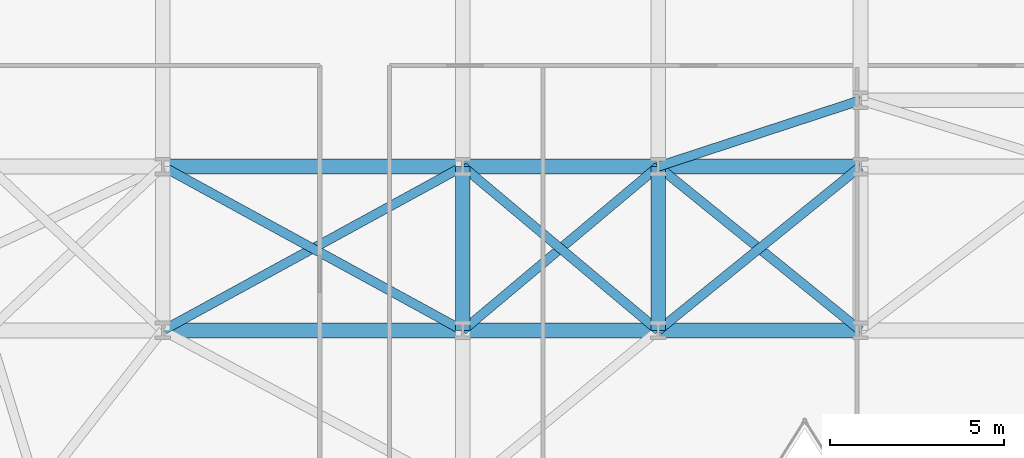
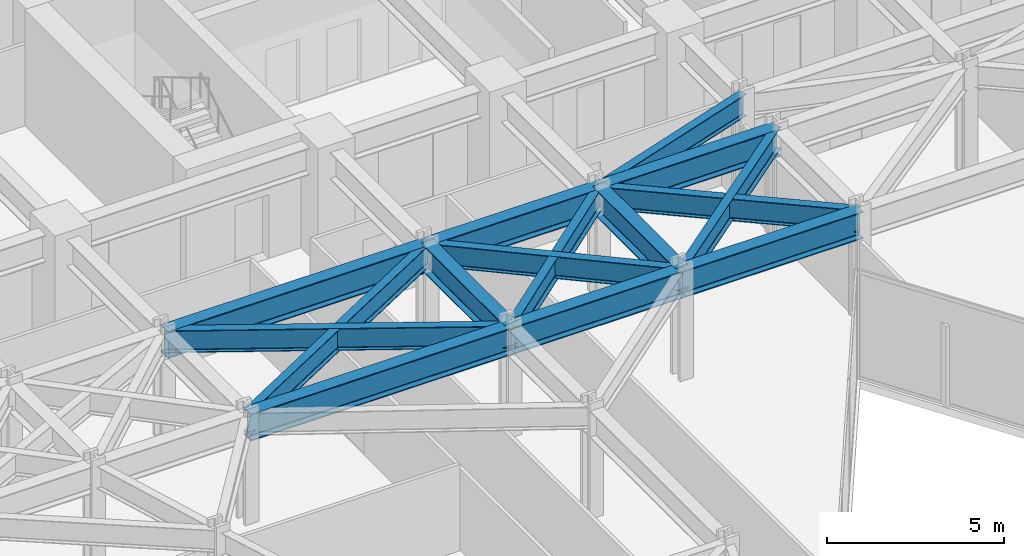
# One storey, part 11 of 24: 15 beams.
"""IFC4 building model written with IfcOpenShell, lengths in metres."""

import ifcopenshell
import ifcopenshell.guid

model = None  # the IFC model being written
_history = None  # IfcOwnerHistory: only IFC2X3 demands one
_inside = {}  # id of a spatial element -> (the spatial element, [elements in it])
_under = {}  # id of a project, library or spatial element -> (it, [spatial elements below it])
_declared = {}  # id of a project -> (the project, [libraries it declares])
_typed = {}  # id of a type object -> (the type object, [elements of that type])
_made_of = {}  # id of a material, layer set ... -> (it, [elements and type objects made of it])


def new_model(schema):
    """Start an empty IFC model of exactly this schema.

    Asked for "IFC4X3", IfcOpenShell would pick the latest addendum, in which some entities
    have other attributes; the version numbers below select the first issue.
    IFC2X3 requires an IfcOwnerHistory on every rooted entity: one is made here for all.
    """
    global model, _history
    if schema == "IFC4X3":
        model = ifcopenshell.file(schema_version=(4, 3, 0, 0))
    else:
        model = ifcopenshell.file(schema=schema)
    _inside.clear()
    _under.clear()
    _declared.clear()
    _typed.clear()
    _made_of.clear()
    _history = None
    if model.schema == "IFC2X3":
        org = make("IfcOrganization", Name="unknown")
        user = make(
            "IfcPersonAndOrganization",
            ThePerson=make("IfcPerson", FamilyName="unknown"),
            TheOrganization=org,
        )
        app = make(
            "IfcApplication",
            ApplicationDeveloper=org,
            Version="unknown",
            ApplicationFullName="unknown",
            ApplicationIdentifier="unknown",
        )
        _history = make(
            "IfcOwnerHistory",
            OwningUser=user,
            OwningApplication=app,
            ChangeAction="ADDED",
            CreationDate=0,
        )
    return model


def make(cls, **values):
    """One entity of the class cls with the attributes given. An attribute that is None is left unset."""
    return model.create_entity(
        cls, **{name: value for name, value in values.items() if value is not None}
    )


def rooted(cls, **values):
    """An entity with a GlobalId (a new one), such as an element, a storey or a relation."""
    return make(cls, GlobalId=ifcopenshell.guid.new(), OwnerHistory=_history, **values)


def si_unit(unit_type, name, prefix=None):
    """IfcSIUnit, for example si_unit("LENGTHUNIT", "METRE", prefix="MILLI")."""
    return make("IfcSIUnit", UnitType=unit_type, Prefix=prefix, Name=name)


def assignment(units):
    """IfcUnitAssignment: the units of a project."""
    return None if units is None else make("IfcUnitAssignment", Units=units)


def point(xyz):
    """IfcCartesianPoint."""
    return None if xyz is None else make("IfcCartesianPoint", Coordinates=xyz)


def direction(xyz):
    """IfcDirection."""
    return None if xyz is None else make("IfcDirection", DirectionRatios=xyz)


def frame(location, z_axis=None, x_axis=None):
    """IfcAxis2Placement3D, a coordinate frame: its origin and axes. An axis left out is left unset."""
    return make(
        "IfcAxis2Placement3D",
        Location=point(location),
        Axis=direction(z_axis),
        RefDirection=direction(x_axis),
    )


def frame_2d(location, x_axis=None):
    """IfcAxis2Placement2D, a coordinate frame in the plane: its origin and x axis."""
    return make(
        "IfcAxis2Placement2D", Location=point(location), RefDirection=direction(x_axis)
    )


def origin():
    """The frame at (0, 0, 0) with its axes left unset."""
    return frame((0.0, 0.0, 0.0))


def origin_2d():
    """The frame at (0, 0) in the plane with its x axis left unset."""
    return frame_2d((0.0, 0.0))


def place(relative_to, where):
    """IfcLocalPlacement: puts the frame where relative to a parent placement (None: the world)."""
    return make(
        "IfcLocalPlacement", PlacementRelTo=relative_to, RelativePlacement=where
    )


def context(
    kind, dimensions, precision=None, world=None, true_north=None, identifier=None
):
    """IfcGeometricRepresentationContext, for example the 3D "Model" context."""
    return make(
        "IfcGeometricRepresentationContext",
        ContextIdentifier=identifier,
        ContextType=kind,
        CoordinateSpaceDimension=dimensions,
        Precision=precision,
        WorldCoordinateSystem=world,
        TrueNorth=true_north,
    )


def subcontext(parent, identifier, kind, view, scale=None):
    """IfcGeometricRepresentationSubContext, for example "Body" below "Model"."""
    return make(
        "IfcGeometricRepresentationSubContext",
        ContextIdentifier=identifier,
        ContextType=kind,
        ParentContext=parent,
        TargetScale=scale,
        TargetView=view,
    )


def project(units=None, contexts=None):
    """IfcProject with its units and contexts."""
    return rooted(
        "IfcProject",
        Name="project",
        RepresentationContexts=contexts,
        UnitsInContext=assignment(units),
    )


def spatial(cls, under=None, at=None, **own):
    """A site, building, storey or space (cls), placed at a placement, below another one or the project."""
    s = rooted(cls, ObjectPlacement=at, **own)
    if under is not None:
        _under.setdefault(under.id(), (under, []))[1].append(s)
    return s


def profile(cls, at=None, kind="AREA", **sizes):
    """A parametric profile (cls). Its sizes go by their IFC names, for example OverallWidth=200.0."""
    return make(cls, ProfileType=kind, Position=at, **sizes)


def i_section(**sizes):
    """IfcIShapeProfileDef."""
    return profile("IfcIShapeProfileDef", **sizes)


def extrude(swept, where, along, depth):
    """IfcExtrudedAreaSolid: the profile swept, set in the frame where, extruded along a direction by depth."""
    return make(
        "IfcExtrudedAreaSolid",
        SweptArea=swept,
        Position=where,
        ExtrudedDirection=direction(along),
        Depth=depth,
    )


def shape(context_of_items, identifier, shape_type, items):
    """IfcShapeRepresentation: the items that make up one representation, for example the "Body"."""
    return make(
        "IfcShapeRepresentation",
        ContextOfItems=context_of_items,
        RepresentationIdentifier=identifier,
        RepresentationType=shape_type,
        Items=items,
    )


def material(Name=None, Category=None):
    """IfcMaterial."""
    return make("IfcMaterial", Name=Name, Category=Category)


def material_profile(
    of_material, cross_section, Name=None, Category=None, Priority=None
):
    """IfcMaterialProfile: a cross section and its material."""
    return make(
        "IfcMaterialProfile",
        Name=Name,
        Material=of_material,
        Profile=cross_section,
        Priority=Priority,
        Category=Category,
    )


def profile_set(profiles, Name=None, composite=None):
    """IfcMaterialProfileSet."""
    return make(
        "IfcMaterialProfileSet",
        Name=Name,
        MaterialProfiles=profiles,
        CompositeProfile=composite,
    )


def made_of(thing, what):
    """Note that an element or type object is made of a material, layer set ...; save() writes the relation."""
    if what is not None:
        _made_of.setdefault(what.id(), (what, []))[1].append(thing)
    return thing


def type_object(cls, material=None, **own):
    """A type object (cls), such as IfcWallType, which elements share."""
    return made_of(rooted(cls, **own), material)


def element(
    cls,
    number,
    at=None,
    inside=None,
    cuts=None,
    type_object=None,
    material=None,
    context=None,
    identifier="Body",
    shape_type=None,
    held_by="IfcProductDefinitionShape",
    body=None,
    shapes=None,
    **own,
):
    """One element of the class cls, such as IfcWall. Its Tag is "e" and its number.

    at: its placement. inside: the storey or other place that contains it. cuts: it is an
    opening in that element (IfcRelVoidsElement). A single representation is given by context,
    identifier, shape_type and body (its items); several are given by shapes. held_by: the class
    of the entity that holds the representations. save() writes the other relations.
    """
    e = rooted(cls, Tag="e%d" % number, ObjectPlacement=at, **own)
    if body is not None:
        shapes = [shape(context, identifier, shape_type, body)]
    if shapes is not None:
        e.Representation = make(held_by, Representations=shapes)
    if inside is not None:
        _inside.setdefault(inside.id(), (inside, []))[1].append(e)
    if cuts is not None:
        rooted(
            "IfcRelVoidsElement", RelatingBuildingElement=cuts, RelatedOpeningElement=e
        )
    if type_object is not None:
        _typed.setdefault(type_object.id(), (type_object, []))[1].append(e)
    return made_of(e, material)


def aggregate(whole, parts):
    """IfcRelAggregates: a whole, such as a stair, and the parts it consists of."""
    return rooted("IfcRelAggregates", RelatingObject=whole, RelatedObjects=parts)


def save(model, path):
    """Write the relations noted so far, then the file.

    IfcRelAggregates (storeys below a building ...), IfcRelContainedInSpatialStructure (elements
    in a storey), IfcRelDefinesByType, IfcRelAssociatesMaterial and IfcRelDeclares: one each for
    every whole, place, type object, material and project.
    """
    for whole, parts in _under.values():
        aggregate(whole, parts)
    for where, things in _inside.values():
        rooted(
            "IfcRelContainedInSpatialStructure",
            RelatedElements=things,
            RelatingStructure=where,
        )
    for kind, things in _typed.values():
        rooted("IfcRelDefinesByType", RelatedObjects=things, RelatingType=kind)
    for what, things in _made_of.values():
        rooted("IfcRelAssociatesMaterial", RelatedObjects=things, RelatingMaterial=what)
    for by, libraries in _declared.values():
        rooted("IfcRelDeclares", RelatingContext=by, RelatedDefinitions=libraries)
    model.write(path)


model = new_model("IFC4")

# Units and contexts
model_context = context("Model", 3, precision=1e-05, world=origin(), true_north=direction((0.0, 1.0)))
body_context = subcontext(model_context, "Body", "Model", "MODEL_VIEW")
ifc_project = project(units=[si_unit("LENGTHUNIT", "METRE"), si_unit("AREAUNIT", "SQUARE_METRE"), si_unit("VOLUMEUNIT", "CUBIC_METRE"), si_unit("PLANEANGLEUNIT", "RADIAN"), si_unit("MASSUNIT", "GRAM", prefix="KILO")], contexts=[model_context])

# Site, building, storey
site_placement = place(None, origin())
site = spatial("IfcSite", under=ifc_project, at=site_placement, CompositionType="ELEMENT")
building_placement = place(site_placement, origin())
building = spatial("IfcBuilding", under=site, at=building_placement, Name="Kravanh Interchange Tower", CompositionType="ELEMENT")
storey_placement = place(building_placement, frame((0.0, 0.0, 45.5)))
storey = spatial("IfcBuildingStorey", under=building, at=storey_placement, Name="L10", CompositionType="ELEMENT", Elevation=45.5)

# Beams
ifc_material_1 = material(Name="Structural Steel S355", Category="steel")
ifc_material_profile_1 = material_profile(ifc_material_1, i_section(OverallWidth=0.41796875, OverallDepth=0.927001953125, WebThickness=0.019287109375, FlangeThickness=0.031982421875, FilletRadius=0.028076171875, at=origin_2d()), Name="W36X231")
ifc_profile_set_1 = profile_set([ifc_material_profile_1], Name="Structural Steel S355")
beam_type_1 = type_object("IfcBeamType", Name="Floor Beam W36X231 Structural Steel S355", PredefinedType="BEAM", material=ifc_profile_set_1)
beam_1_placement = place(storey_placement, frame((18.60009765625, 26.800048828125, 3.276611328125), z_axis=(1.0, 0.0, 0.0), x_axis=(0.0, 1.0, 0.0)))
element("IfcBeam", 1, at=beam_1_placement, inside=storey, type_object=beam_type_1, Name="L10 Primary Floor Girder 76", PredefinedType="BEAM", context=body_context, shape_type="SweptSolid", body=[
    extrude(i_section(OverallWidth=0.41796875, OverallDepth=0.927001953125, WebThickness=0.019287109375, FlangeThickness=0.031982421875, FilletRadius=0.028076171875, at=origin_2d()), origin(), (0.0, 0.0, 1.0), 8.599853515625),
])
beam_2_placement = place(storey_placement, frame((27.199951171875, 26.800048828125, 3.276611328125), z_axis=(0.0, 1.0, 0.0), x_axis=(-1.0, 0.0, 0.0)))
element("IfcBeam", 2, at=beam_2_placement, inside=storey, type_object=beam_type_1, Name="L10 Primary Floor Girder 78", PredefinedType="BEAM", context=body_context, shape_type="SweptSolid", body=[
    extrude(i_section(OverallWidth=0.41796875, OverallDepth=0.927001953125, WebThickness=0.019287109375, FlangeThickness=0.031982421875, FilletRadius=0.028076171875, at=origin_2d()), origin(), (0.0, 0.0, 1.0), 4.699951171875),
])
beam_3_placement = place(storey_placement, frame((27.199951171875, 26.800048828125, 3.276611328125), z_axis=(1.0, 0.0, 0.0), x_axis=(0.0, 1.0, 0.0)))
element("IfcBeam", 3, at=beam_3_placement, inside=storey, type_object=beam_type_1, Name="L10 Primary Floor Girder 79", PredefinedType="BEAM", context=body_context, shape_type="SweptSolid", body=[
    extrude(i_section(OverallWidth=0.41796875, OverallDepth=0.927001953125, WebThickness=0.019287109375, FlangeThickness=0.031982421875, FilletRadius=0.028076171875, at=origin_2d()), origin(), (0.0, 0.0, 1.0), 5.60009765625),
])
beam_4_placement = place(storey_placement, frame((32.800048828125, 26.800048828125, 3.276611328125), z_axis=(0.0, 1.0, 0.0), x_axis=(-1.0, 0.0, 0.0)))
element("IfcBeam", 4, at=beam_4_placement, inside=storey, type_object=beam_type_1, Name="L10 Primary Floor Girder 82", PredefinedType="BEAM", context=body_context, shape_type="SweptSolid", body=[
    extrude(i_section(OverallWidth=0.41796875, OverallDepth=0.927001953125, WebThickness=0.019287109375, FlangeThickness=0.031982421875, FilletRadius=0.028076171875, at=origin_2d()), origin(), (0.0, 0.0, 1.0), 4.699951171875),
])
beam_5_placement = place(storey_placement, frame((32.800048828125, 26.800048828125, 3.276611328125), z_axis=(1.0, 0.0, 0.0), x_axis=(0.0, 1.0, 0.0)))
element("IfcBeam", 5, at=beam_5_placement, inside=storey, type_object=beam_type_1, Name="L10 Primary Floor Girder 83", PredefinedType="BEAM", context=body_context, shape_type="SweptSolid", body=[
    extrude(i_section(OverallWidth=0.41796875, OverallDepth=0.927001953125, WebThickness=0.019287109375, FlangeThickness=0.031982421875, FilletRadius=0.028076171875, at=origin_2d()), origin(), (0.0, 0.0, 1.0), 5.800048828125),
])
beam_6_placement = place(storey_placement, frame((18.60009765625, 31.5, 3.276611328125), z_axis=(1.0, 0.0, 0.0), x_axis=(0.0, 1.0, 0.0)))
element("IfcBeam", 6, at=beam_6_placement, inside=storey, type_object=beam_type_1, Name="L10 Primary Floor Girder 106", PredefinedType="BEAM", context=body_context, shape_type="SweptSolid", body=[
    extrude(i_section(OverallWidth=0.41796875, OverallDepth=0.927001953125, WebThickness=0.019287109375, FlangeThickness=0.031982421875, FilletRadius=0.028076171875, at=origin_2d()), origin(), (0.0, 0.0, 1.0), 8.599853515625),
])
beam_7_placement = place(storey_placement, frame((27.199951171875, 31.5, 3.276611328125), z_axis=(1.0, 0.0, 0.0), x_axis=(0.0, 1.0, 0.0)))
element("IfcBeam", 7, at=beam_7_placement, inside=storey, type_object=beam_type_1, Name="L10 Primary Floor Girder 107", PredefinedType="BEAM", context=body_context, shape_type="SweptSolid", body=[
    extrude(i_section(OverallWidth=0.41796875, OverallDepth=0.927001953125, WebThickness=0.019287109375, FlangeThickness=0.031982421875, FilletRadius=0.028076171875, at=origin_2d()), origin(), (0.0, 0.0, 1.0), 5.60009765625),
])
beam_8_placement = place(storey_placement, frame((32.800048828125, 31.5, 3.276611328125), z_axis=(1.0, 0.0, 0.0), x_axis=(0.0, 1.0, 0.0)))
element("IfcBeam", 8, at=beam_8_placement, inside=storey, type_object=beam_type_1, Name="L10 Primary Floor Girder 109", PredefinedType="BEAM", context=body_context, shape_type="SweptSolid", body=[
    extrude(i_section(OverallWidth=0.41796875, OverallDepth=0.927001953125, WebThickness=0.019287109375, FlangeThickness=0.031982421875, FilletRadius=0.028076171875, at=origin_2d()), origin(), (0.0, 0.0, 1.0), 5.800048828125),
])
ifc_material_2 = material(Name="Structural Steel S355", Category="steel")
ifc_material_profile_2 = material_profile(ifc_material_2, i_section(OverallWidth=0.26708984375, OverallDepth=0.761962890625, WebThickness=0.014404296875, FlangeThickness=0.021484375, FilletRadius=0.02490234375, at=origin_2d()), Name="W30X116")
ifc_profile_set_2 = profile_set([ifc_material_profile_2], Name="Structural Steel S355")
beam_type_2 = type_object("IfcBeamType", Name="Floor Spandrel W30X116 Structural Steel S355", PredefinedType="SPANDREL", material=ifc_profile_set_2)
beam_9_placement = place(storey_placement, frame((18.60009765625, 26.800048828125, 3.35888671875), z_axis=(0.877503996342, 0.479569323877, 0.0), x_axis=(-0.479569323877, 0.877503996342, 0.0)))
element("IfcBeam", 9, at=beam_9_placement, inside=storey, type_object=beam_type_2, Name="L10 Perimeter Spandrel 77", PredefinedType="SPANDREL", context=body_context, shape_type="SweptSolid", body=[
    extrude(i_section(OverallWidth=0.26708984375, OverallDepth=0.761962890625, WebThickness=0.014404296875, FlangeThickness=0.021484375, FilletRadius=0.02490234375, at=origin_2d()), origin(), (0.0, 0.0, 1.0), 9.80029296875),
])
beam_10_placement = place(storey_placement, frame((27.199951171875, 26.800048828125, 3.35888671875), z_axis=(0.765983062929, 0.642860752657, 0.0), x_axis=(-0.642860752657, 0.765983062929, 0.0)))
element("IfcBeam", 10, at=beam_10_placement, inside=storey, type_object=beam_type_2, Name="L10 Perimeter Spandrel 80", PredefinedType="SPANDREL", context=body_context, shape_type="SweptSolid", body=[
    extrude(i_section(OverallWidth=0.26708984375, OverallDepth=0.761962890625, WebThickness=0.014404296875, FlangeThickness=0.021484375, FilletRadius=0.02490234375, at=origin_2d()), origin(), (0.0, 0.0, 1.0), 7.31103515625),
])
beam_11_placement = place(storey_placement, frame((27.199951171875, 26.800048828125, 3.35888671875), z_axis=(-0.877503996342, 0.479569323877, 0.0), x_axis=(-0.479569323877, -0.877503996342, 0.0)))
element("IfcBeam", 11, at=beam_11_placement, inside=storey, type_object=beam_type_2, Name="L10 Perimeter Spandrel 81", PredefinedType="SPANDREL", context=body_context, shape_type="SweptSolid", body=[
    extrude(i_section(OverallWidth=0.26708984375, OverallDepth=0.761962890625, WebThickness=0.014404296875, FlangeThickness=0.021484375, FilletRadius=0.02490234375, at=origin_2d()), origin(), (0.0, 0.0, 1.0), 9.80029296875),
])
beam_12_placement = place(storey_placement, frame((32.800048828125, 26.800048828125, 3.35888671875), z_axis=(-0.765983062929, 0.642860752657, 0.0), x_axis=(-0.642860752657, -0.765983062929, 0.0)))
element("IfcBeam", 12, at=beam_12_placement, inside=storey, type_object=beam_type_2, Name="L10 Perimeter Spandrel 84", PredefinedType="SPANDREL", context=body_context, shape_type="SweptSolid", body=[
    extrude(i_section(OverallWidth=0.26708984375, OverallDepth=0.761962890625, WebThickness=0.014404296875, FlangeThickness=0.021484375, FilletRadius=0.02490234375, at=origin_2d()), origin(), (0.0, 0.0, 1.0), 7.31103515625),
])
for number, where, z_axis, x_axis, name in (
    (13, (32.800048828125, 26.800048828125, 3.35888671875), (0.776938619557, 0.629576350764, 0.0), (-0.629576350764, 0.776938619557, 0.0), "L10 Perimeter Spandrel 85"),
    (14, (38.60009765625, 26.800048828125, 3.35888671875), (-0.776938619557, 0.629576350764, 0.0), (-0.629576350764, -0.776938619557, 0.0), "L10 Perimeter Spandrel 87"),
):
    element("IfcBeam", number, at=place(storey_placement, frame(where, z_axis=z_axis, x_axis=x_axis)), inside=storey, type_object=beam_type_2, Name=name, PredefinedType="SPANDREL", context=body_context, shape_type="SweptSolid", body=[
        extrude(i_section(OverallWidth=0.26708984375, OverallDepth=0.761962890625, WebThickness=0.014404296875, FlangeThickness=0.021484375, FilletRadius=0.02490234375, at=origin_2d()), origin(), (0.0, 0.0, 1.0), 7.46533203125),
    ])
beam_13_placement = place(storey_placement, frame((32.800048828125, 31.5, 3.35888671875), z_axis=(0.950314536578, 0.31129131303, 0.0), x_axis=(-0.31129131303, 0.950314536578, 0.0)))
element("IfcBeam", 15, at=beam_13_placement, inside=storey, type_object=beam_type_2, Name="L10 Perimeter Spandrel 110", PredefinedType="SPANDREL", context=body_context, shape_type="SweptSolid", body=[
    extrude(i_section(OverallWidth=0.26708984375, OverallDepth=0.761962890625, WebThickness=0.014404296875, FlangeThickness=0.021484375, FilletRadius=0.02490234375, at=origin_2d()), origin(), (0.0, 0.0, 1.0), 6.103271484375),
])

save(model, "model.ifc")
